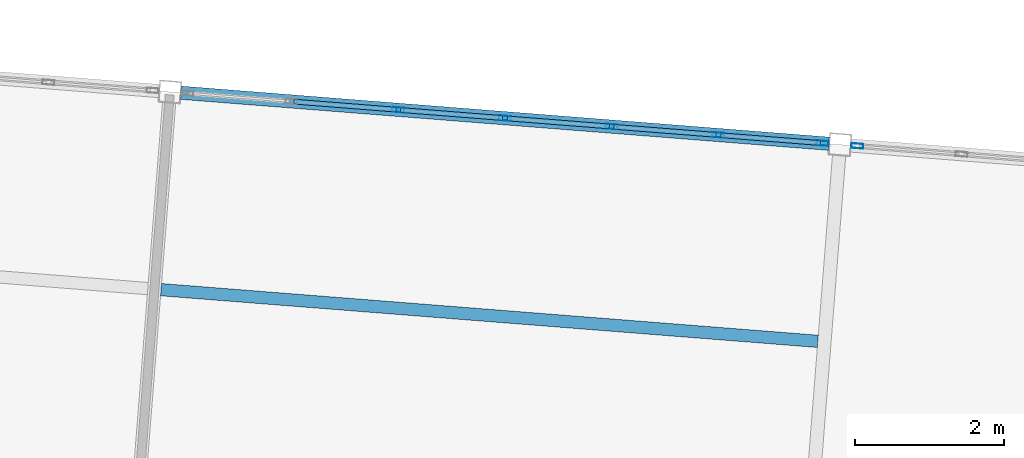
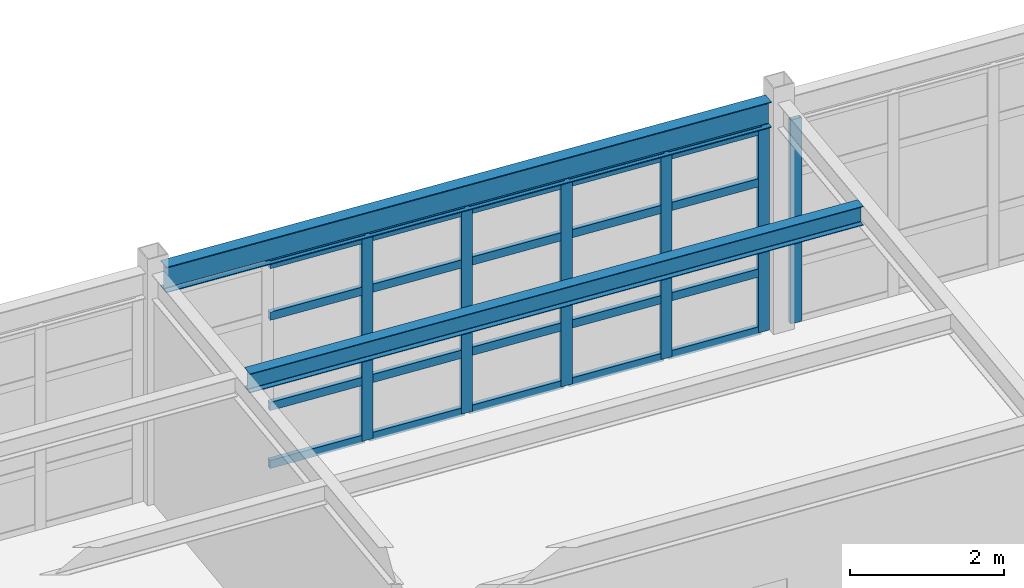
# One storey, part 53 of 150: 26 members, 2 beams, 2 elements without a shape of their own.
"""IFC4 building model written with IfcOpenShell, lengths in metres."""

from ifc_helpers import new_model, si_unit, direction, frame, origin, origin_2d, place, context, subcontext, project, spatial, hollow_rectangle, i_section, extrude, material, material_profile, profile_set, type_object, element, aggregate, save


model = new_model("IFC4")

# Units and contexts
model_context = context("Model", 3, precision=1e-05, world=origin(), true_north=direction((0.0, 1.0)))
body_context = subcontext(model_context, "Body", "Model", "MODEL_VIEW")
ifc_project = project(units=[si_unit("LENGTHUNIT", "METRE"), si_unit("AREAUNIT", "SQUARE_METRE"), si_unit("VOLUMEUNIT", "CUBIC_METRE"), si_unit("PLANEANGLEUNIT", "RADIAN"), si_unit("MASSUNIT", "GRAM", prefix="KILO")], contexts=[model_context])

# Site, building, storey
site_placement = place(None, origin())
site = spatial("IfcSite", under=ifc_project, at=site_placement, CompositionType="ELEMENT")
building_placement = place(site_placement, origin())
building = spatial("IfcBuilding", under=site, at=building_placement, Name="Kestramere Prow Commons", CompositionType="ELEMENT")
storey_placement = place(building_placement, frame((0.0, 0.0, 4.5)))
storey = spatial("IfcBuildingStorey", under=building, at=storey_placement, Name="L01", CompositionType="ELEMENT", Elevation=4.5)

# Beam
ifc_material_1 = material(Name="Steel S355JR", Category="steel")
ifc_material_profile_1 = material_profile(ifc_material_1, i_section(OverallWidth=0.177978515625, OverallDepth=0.406494140625, WebThickness=0.0078125, FlangeThickness=0.0126953125, FilletRadius=0.01025390625, at=origin_2d()), Name="UB 406x178x60")
ifc_profile_set_1 = profile_set([ifc_material_profile_1], Name="Steel S355JR")
beam_type_1 = type_object("IfcBeamType", Name="BM-NR-01 UB 406x178x60 (EX)", PredefinedType="BEAM", material=ifc_profile_set_1)
beam_1_placement = place(storey_placement, frame((88.5771484375, 108.001953125, 3.44677734375), z_axis=(0.996917066238, -0.078462494502, 0.0), x_axis=(0.078462494502, 0.996917066238, 0.0)))
element("IfcBeam", 1, at=beam_1_placement, inside=storey, type_object=beam_type_1, Name="Nursery L01 Beam U 4-3", PredefinedType="BEAM", context=body_context, shape_type="SweptSolid", body=[
    extrude(i_section(OverallWidth=0.177978515625, OverallDepth=0.406494140625, WebThickness=0.0078125, FlangeThickness=0.0126953125, FilletRadius=0.01025390625, at=origin_2d()), origin(), (0.0, 0.0, 1.0), 8.699951171875),
])

# Curtain wall, members
ifc_material_2 = material(Name="Anodised Aluminium and Low-E Glass", Category="aluminium")
curtain_wall_type = type_object("IfcCurtainWallType", Name="CW-15 Glazed Curtain Wall 8600x3230", PredefinedType="USERDEFINED", material=ifc_material_2)
curtain_wall_1_placement = place(storey_placement, origin())
curtain_wall_1 = element("IfcCurtainWall", 2, at=curtain_wall_1_placement, inside=storey, type_object=curtain_wall_type, Name="Nursery L01 North Garden Glazing 3", ObjectType="GLAZED CURTAIN WALL", PredefinedType="USERDEFINED")
ifc_material_3 = material(Name="Anodised Aluminium 6063-T6", Category="aluminium")
ifc_material_profile_2 = material_profile(ifc_material_3, hollow_rectangle(XDim=0.06494140625, YDim=0.159912109375, WallThickness=0.00390625, at=origin_2d()), Name="ALU-MUL 65x160")
ifc_profile_set_2 = profile_set([ifc_material_profile_2], Name="Anodised Aluminium 6063-T6")
member_type_1 = type_object("IfcMemberType", Name="CW-MUL-65x160", PredefinedType="MULLION", material=ifc_profile_set_2)
member_1_placement = place(storey_placement, frame((91.48486328125, 107.773193359375, 0.0), z_axis=(0.0, 0.0, 1.0), x_axis=(0.078459070568, 0.996917335713, 0.0)))
member_1 = element("IfcMember", 3, at=member_1_placement, type_object=member_type_1, Name="CW-15 mullion 3", PredefinedType="MULLION", context=body_context, shape_type="SweptSolid", body=[
    extrude(hollow_rectangle(XDim=0.06494140625, YDim=0.159912109375, WallThickness=0.00390625, at=origin_2d()), origin(), (0.0, 0.0, 1.0), 3.22998046875),
])
member_2_placement = place(storey_placement, frame((92.91357421875, 107.66064453125, 0.0), z_axis=(0.0, 0.0, 1.0), x_axis=(0.078459070568, 0.996917335713, 0.0)))
member_2 = element("IfcMember", 4, at=member_2_placement, type_object=member_type_1, Name="CW-15 mullion 4", PredefinedType="MULLION", context=body_context, shape_type="SweptSolid", body=[
    extrude(hollow_rectangle(XDim=0.06494140625, YDim=0.159912109375, WallThickness=0.00390625, at=origin_2d()), origin(), (0.0, 0.0, 1.0), 3.22998046875),
])
member_3_placement = place(storey_placement, frame((94.342529296875, 107.54833984375, 0.0), z_axis=(0.0, 0.0, 1.0), x_axis=(0.078459070568, 0.996917335713, 0.0)))
member_3 = element("IfcMember", 5, at=member_3_placement, type_object=member_type_1, Name="CW-15 mullion 5", PredefinedType="MULLION", context=body_context, shape_type="SweptSolid", body=[
    extrude(hollow_rectangle(XDim=0.06494140625, YDim=0.159912109375, WallThickness=0.00390625, at=origin_2d()), origin(), (0.0, 0.0, 1.0), 3.22998046875),
])
member_4_placement = place(storey_placement, frame((95.771484375, 107.435791015625, 0.0), z_axis=(0.0, 0.0, 1.0), x_axis=(0.078459070568, 0.996917335713, 0.0)))
member_4 = element("IfcMember", 6, at=member_4_placement, type_object=member_type_1, Name="CW-15 mullion 6", PredefinedType="MULLION", context=body_context, shape_type="SweptSolid", body=[
    extrude(hollow_rectangle(XDim=0.06494140625, YDim=0.159912109375, WallThickness=0.00390625, at=origin_2d()), origin(), (0.0, 0.0, 1.0), 3.22998046875),
])
member_5_placement = place(storey_placement, frame((97.16796875, 107.325927734375, 0.0), z_axis=(0.0, 0.0, 1.0), x_axis=(0.078459070568, 0.996917335713, 0.0)))
member_5 = element("IfcMember", 7, at=member_5_placement, type_object=member_type_1, Name="CW-15 mullion 7", PredefinedType="MULLION", context=body_context, shape_type="SweptSolid", body=[
    extrude(hollow_rectangle(XDim=0.06494140625, YDim=0.159912109375, WallThickness=0.00390625, at=origin_2d()), origin(), (0.0, 0.0, 1.0), 3.22998046875),
])

# Curtain wall, member
curtain_wall_2_placement = place(storey_placement, origin())
curtain_wall_2 = element("IfcCurtainWall", 8, at=curtain_wall_2_placement, inside=storey, type_object=curtain_wall_type, Name="Nursery L01 North Garden Glazing 4", ObjectType="GLAZED CURTAIN WALL", PredefinedType="USERDEFINED")
member_6_placement = place(storey_placement, frame((97.631591796875, 107.289306640625, 0.0), z_axis=(0.0, 0.0, 1.0), x_axis=(0.078459186136, 0.996917326618, 0.0)))
member_6 = element("IfcMember", 9, at=member_6_placement, type_object=member_type_1, Name="CW-15 mullion 1", PredefinedType="MULLION", context=body_context, shape_type="SweptSolid", body=[
    extrude(hollow_rectangle(XDim=0.06494140625, YDim=0.159912109375, WallThickness=0.00390625, at=origin_2d()), origin(), (0.0, 0.0, 1.0), 3.22998046875),
])
aggregate(curtain_wall_2, [member_6])

# Member
ifc_material_profile_3 = material_profile(ifc_material_3, hollow_rectangle(XDim=0.06494140625, YDim=0.1298828125, WallThickness=0.00390625, at=origin_2d()), Name="ALU-TRN 65x130")
ifc_profile_set_3 = profile_set([ifc_material_profile_3], Name="Anodised Aluminium 6063-T6")
member_type_2 = type_object("IfcMemberType", Name="CW-TRN-65x130", PredefinedType="USERDEFINED", material=ifc_profile_set_3)
member_7_placement = place(storey_placement, frame((90.088134765625, 107.883056640625, 0.032470703125), z_axis=(0.996914334782, -0.078497191715, 0.0), x_axis=(0.078497191715, 0.996914334782, 0.0)))
member_7 = element("IfcMember", 10, at=member_7_placement, type_object=member_type_2, Name="CW-15 transom 2.1", ObjectType="TRANSOM", PredefinedType="USERDEFINED", context=body_context, shape_type="SweptSolid", body=[
    extrude(hollow_rectangle(XDim=0.06494140625, YDim=0.1298828125, WallThickness=0.00390625, at=origin_2d()), origin(), (0.0, 0.0, 1.0), 1.368408203125),
])

member_8_placement = place(storey_placement, frame((90.088134765625, 107.883056640625, 0.949951171875), z_axis=(0.996914334782, -0.078497191715, 0.0), x_axis=(0.078497191715, 0.996914334782, 0.0)))
member_8 = element("IfcMember", 11, at=member_8_placement, type_object=member_type_2, Name="CW-15 transom 2.2", ObjectType="TRANSOM", PredefinedType="USERDEFINED", context=body_context, shape_type="SweptSolid", body=[
    extrude(hollow_rectangle(XDim=0.06494140625, YDim=0.1298828125, WallThickness=0.00390625, at=origin_2d()), origin(), (0.0, 0.0, 1.0), 1.368408203125),
])

member_9_placement = place(storey_placement, frame((90.088134765625, 107.883056640625, 2.3798828125), z_axis=(0.996914334782, -0.078497191715, 0.0), x_axis=(0.078497191715, 0.996914334782, 0.0)))
member_9 = element("IfcMember", 12, at=member_9_placement, type_object=member_type_2, Name="CW-15 transom 2.3", ObjectType="TRANSOM", PredefinedType="USERDEFINED", context=body_context, shape_type="SweptSolid", body=[
    extrude(hollow_rectangle(XDim=0.06494140625, YDim=0.1298828125, WallThickness=0.00390625, at=origin_2d()), origin(), (0.0, 0.0, 1.0), 1.368408203125),
])

member_10_placement = place(storey_placement, frame((90.088134765625, 107.883056640625, 3.197509765625), z_axis=(0.996914334782, -0.078497191715, 0.0), x_axis=(0.078497191715, 0.996914334782, 0.0)))
member_10 = element("IfcMember", 13, at=member_10_placement, type_object=member_type_2, Name="CW-15 transom 2.4", ObjectType="TRANSOM", PredefinedType="USERDEFINED", context=body_context, shape_type="SweptSolid", body=[
    extrude(hollow_rectangle(XDim=0.06494140625, YDim=0.1298828125, WallThickness=0.00390625, at=origin_2d()), origin(), (0.0, 0.0, 1.0), 1.368408203125),
])

member_11_placement = place(storey_placement, frame((91.51708984375, 107.7705078125, 0.032470703125), z_axis=(0.996928280109, -0.078319884568, 0.0), x_axis=(0.078319884568, 0.996928280109, 0.0)))
member_11 = element("IfcMember", 14, at=member_11_placement, type_object=member_type_2, Name="CW-15 transom 3.1", ObjectType="TRANSOM", PredefinedType="USERDEFINED", context=body_context, shape_type="SweptSolid", body=[
    extrude(hollow_rectangle(XDim=0.06494140625, YDim=0.1298828125, WallThickness=0.00390625, at=origin_2d()), origin(), (0.0, 0.0, 1.0), 1.368408203125),
])

member_12_placement = place(storey_placement, frame((91.51708984375, 107.7705078125, 0.949951171875), z_axis=(0.996928280109, -0.078319884568, 0.0), x_axis=(0.078319884568, 0.996928280109, 0.0)))
member_12 = element("IfcMember", 15, at=member_12_placement, type_object=member_type_2, Name="CW-15 transom 3.2", ObjectType="TRANSOM", PredefinedType="USERDEFINED", context=body_context, shape_type="SweptSolid", body=[
    extrude(hollow_rectangle(XDim=0.06494140625, YDim=0.1298828125, WallThickness=0.00390625, at=origin_2d()), origin(), (0.0, 0.0, 1.0), 1.368408203125),
])

member_13_placement = place(storey_placement, frame((91.51708984375, 107.7705078125, 2.3798828125), z_axis=(0.996928280109, -0.078319884568, 0.0), x_axis=(0.078319884568, 0.996928280109, 0.0)))
member_13 = element("IfcMember", 16, at=member_13_placement, type_object=member_type_2, Name="CW-15 transom 3.3", ObjectType="TRANSOM", PredefinedType="USERDEFINED", context=body_context, shape_type="SweptSolid", body=[
    extrude(hollow_rectangle(XDim=0.06494140625, YDim=0.1298828125, WallThickness=0.00390625, at=origin_2d()), origin(), (0.0, 0.0, 1.0), 1.368408203125),
])

member_14_placement = place(storey_placement, frame((91.51708984375, 107.7705078125, 3.197509765625), z_axis=(0.996928280109, -0.078319884568, 0.0), x_axis=(0.078319884568, 0.996928280109, 0.0)))
member_14 = element("IfcMember", 17, at=member_14_placement, type_object=member_type_2, Name="CW-15 transom 3.4", ObjectType="TRANSOM", PredefinedType="USERDEFINED", context=body_context, shape_type="SweptSolid", body=[
    extrude(hollow_rectangle(XDim=0.06494140625, YDim=0.1298828125, WallThickness=0.00390625, at=origin_2d()), origin(), (0.0, 0.0, 1.0), 1.368408203125),
])

member_15_placement = place(storey_placement, frame((92.946044921875, 107.658203125, 0.032470703125), z_axis=(0.996913235205, -0.07851115509, 0.0), x_axis=(0.07851115509, 0.996913235205, 0.0)))
member_15 = element("IfcMember", 18, at=member_15_placement, type_object=member_type_2, Name="CW-15 transom 4.1", ObjectType="TRANSOM", PredefinedType="USERDEFINED", context=body_context, shape_type="SweptSolid", body=[
    extrude(hollow_rectangle(XDim=0.06494140625, YDim=0.1298828125, WallThickness=0.00390625, at=origin_2d()), origin(), (0.0, 0.0, 1.0), 1.3681640625),
])

member_16_placement = place(storey_placement, frame((92.946044921875, 107.658203125, 0.949951171875), z_axis=(0.996913235205, -0.07851115509, 0.0), x_axis=(0.07851115509, 0.996913235205, 0.0)))
member_16 = element("IfcMember", 19, at=member_16_placement, type_object=member_type_2, Name="CW-15 transom 4.2", ObjectType="TRANSOM", PredefinedType="USERDEFINED", context=body_context, shape_type="SweptSolid", body=[
    extrude(hollow_rectangle(XDim=0.06494140625, YDim=0.1298828125, WallThickness=0.00390625, at=origin_2d()), origin(), (0.0, 0.0, 1.0), 1.3681640625),
])

member_17_placement = place(storey_placement, frame((92.946044921875, 107.658203125, 2.3798828125), z_axis=(0.996913235205, -0.07851115509, 0.0), x_axis=(0.07851115509, 0.996913235205, 0.0)))
member_17 = element("IfcMember", 20, at=member_17_placement, type_object=member_type_2, Name="CW-15 transom 4.3", ObjectType="TRANSOM", PredefinedType="USERDEFINED", context=body_context, shape_type="SweptSolid", body=[
    extrude(hollow_rectangle(XDim=0.06494140625, YDim=0.1298828125, WallThickness=0.00390625, at=origin_2d()), origin(), (0.0, 0.0, 1.0), 1.3681640625),
])

member_18_placement = place(storey_placement, frame((92.946044921875, 107.658203125, 3.197509765625), z_axis=(0.996913235205, -0.07851115509, 0.0), x_axis=(0.07851115509, 0.996913235205, 0.0)))
member_18 = element("IfcMember", 21, at=member_18_placement, type_object=member_type_2, Name="CW-15 transom 4.4", ObjectType="TRANSOM", PredefinedType="USERDEFINED", context=body_context, shape_type="SweptSolid", body=[
    extrude(hollow_rectangle(XDim=0.06494140625, YDim=0.1298828125, WallThickness=0.00390625, at=origin_2d()), origin(), (0.0, 0.0, 1.0), 1.3681640625),
])

member_19_placement = place(storey_placement, frame((94.375, 107.545654296875, 0.032470703125), z_axis=(0.996913235205, -0.07851115509, 0.0), x_axis=(0.07851115509, 0.996913235205, 0.0)))
member_19 = element("IfcMember", 22, at=member_19_placement, type_object=member_type_2, Name="CW-15 transom 5.1", ObjectType="TRANSOM", PredefinedType="USERDEFINED", context=body_context, shape_type="SweptSolid", body=[
    extrude(hollow_rectangle(XDim=0.06494140625, YDim=0.1298828125, WallThickness=0.00390625, at=origin_2d()), origin(), (0.0, 0.0, 1.0), 1.3681640625),
])

member_20_placement = place(storey_placement, frame((94.375, 107.545654296875, 0.949951171875), z_axis=(0.996913235205, -0.07851115509, 0.0), x_axis=(0.07851115509, 0.996913235205, 0.0)))
member_20 = element("IfcMember", 23, at=member_20_placement, type_object=member_type_2, Name="CW-15 transom 5.2", ObjectType="TRANSOM", PredefinedType="USERDEFINED", context=body_context, shape_type="SweptSolid", body=[
    extrude(hollow_rectangle(XDim=0.06494140625, YDim=0.1298828125, WallThickness=0.00390625, at=origin_2d()), origin(), (0.0, 0.0, 1.0), 1.3681640625),
])

member_21_placement = place(storey_placement, frame((94.375, 107.545654296875, 2.3798828125), z_axis=(0.996913235205, -0.07851115509, 0.0), x_axis=(0.07851115509, 0.996913235205, 0.0)))
member_21 = element("IfcMember", 24, at=member_21_placement, type_object=member_type_2, Name="CW-15 transom 5.3", ObjectType="TRANSOM", PredefinedType="USERDEFINED", context=body_context, shape_type="SweptSolid", body=[
    extrude(hollow_rectangle(XDim=0.06494140625, YDim=0.1298828125, WallThickness=0.00390625, at=origin_2d()), origin(), (0.0, 0.0, 1.0), 1.3681640625),
])

member_22_placement = place(storey_placement, frame((94.375, 107.545654296875, 3.197509765625), z_axis=(0.996913235205, -0.07851115509, 0.0), x_axis=(0.07851115509, 0.996913235205, 0.0)))
member_22 = element("IfcMember", 25, at=member_22_placement, type_object=member_type_2, Name="CW-15 transom 5.4", ObjectType="TRANSOM", PredefinedType="USERDEFINED", context=body_context, shape_type="SweptSolid", body=[
    extrude(hollow_rectangle(XDim=0.06494140625, YDim=0.1298828125, WallThickness=0.00390625, at=origin_2d()), origin(), (0.0, 0.0, 1.0), 1.3681640625),
])

member_23_placement = place(storey_placement, frame((95.803955078125, 107.43310546875, 0.032470703125), z_axis=(0.996920751352, -0.07841565866, 0.0), x_axis=(0.07841565866, 0.996920751352, 0.0)))
member_23 = element("IfcMember", 26, at=member_23_placement, type_object=member_type_2, Name="CW-15 transom 6.1", ObjectType="TRANSOM", PredefinedType="USERDEFINED", context=body_context, shape_type="SweptSolid", body=[
    extrude(hollow_rectangle(XDim=0.06494140625, YDim=0.1298828125, WallThickness=0.00390625, at=origin_2d()), origin(), (0.0, 0.0, 1.0), 1.335693359375),
])

member_24_placement = place(storey_placement, frame((95.803955078125, 107.43310546875, 0.949951171875), z_axis=(0.996920751352, -0.07841565866, 0.0), x_axis=(0.07841565866, 0.996920751352, 0.0)))
member_24 = element("IfcMember", 27, at=member_24_placement, type_object=member_type_2, Name="CW-15 transom 6.2", ObjectType="TRANSOM", PredefinedType="USERDEFINED", context=body_context, shape_type="SweptSolid", body=[
    extrude(hollow_rectangle(XDim=0.06494140625, YDim=0.1298828125, WallThickness=0.00390625, at=origin_2d()), origin(), (0.0, 0.0, 1.0), 1.335693359375),
])

member_25_placement = place(storey_placement, frame((95.803955078125, 107.43310546875, 2.3798828125), z_axis=(0.996920751352, -0.07841565866, 0.0), x_axis=(0.07841565866, 0.996920751352, 0.0)))
member_25 = element("IfcMember", 28, at=member_25_placement, type_object=member_type_2, Name="CW-15 transom 6.3", ObjectType="TRANSOM", PredefinedType="USERDEFINED", context=body_context, shape_type="SweptSolid", body=[
    extrude(hollow_rectangle(XDim=0.06494140625, YDim=0.1298828125, WallThickness=0.00390625, at=origin_2d()), origin(), (0.0, 0.0, 1.0), 1.335693359375),
])

member_26_placement = place(storey_placement, frame((95.803955078125, 107.43310546875, 3.197509765625), z_axis=(0.996920751352, -0.07841565866, 0.0), x_axis=(0.07841565866, 0.996920751352, 0.0)))
member_26 = element("IfcMember", 29, at=member_26_placement, type_object=member_type_2, Name="CW-15 transom 6.4", ObjectType="TRANSOM", PredefinedType="USERDEFINED", context=body_context, shape_type="SweptSolid", body=[
    extrude(hollow_rectangle(XDim=0.06494140625, YDim=0.1298828125, WallThickness=0.00390625, at=origin_2d()), origin(), (0.0, 0.0, 1.0), 1.335693359375),
])

aggregate(curtain_wall_1, [member_1, member_2, member_3, member_4, member_5, member_7, member_8, member_9, member_10, member_11, member_12, member_13, member_14, member_15, member_16, member_17, member_18, member_19, member_20, member_21, member_22, member_23, member_24, member_25, member_26])

# Beam
ifc_material_profile_4 = material_profile(ifc_material_1, i_section(OverallWidth=0.1650390625, OverallDepth=0.303466796875, WebThickness=0.006103515625, FlangeThickness=0.01025390625, FilletRadius=0.0087890625, at=origin_2d()), Name="UB 305x165x40")
ifc_profile_set_4 = profile_set([ifc_material_profile_4], Name="Steel S355JR")
beam_type_2 = type_object("IfcBeamType", Name="JST-NR-01 UB 305x165x40", PredefinedType="JOIST", material=ifc_profile_set_4)
beam_2_placement = place(storey_placement, frame((88.308349609375, 105.364990234375, 3.498291015625), z_axis=(0.996917659029, -0.07845496234, 0.0), x_axis=(0.07845496234, 0.996917659029, 0.0)))
element("IfcBeam", 30, at=beam_2_placement, inside=storey, type_object=beam_type_2, Name="Nursery L01 Secondary Joist 3-3", PredefinedType="JOIST", context=body_context, shape_type="SweptSolid", body=[
    extrude(i_section(OverallWidth=0.1650390625, OverallDepth=0.303466796875, WebThickness=0.006103515625, FlangeThickness=0.01025390625, FilletRadius=0.0087890625, at=origin_2d()), origin(), (0.0, 0.0, 1.0), 8.822021484375),
])

save(model, "model.ifc")
